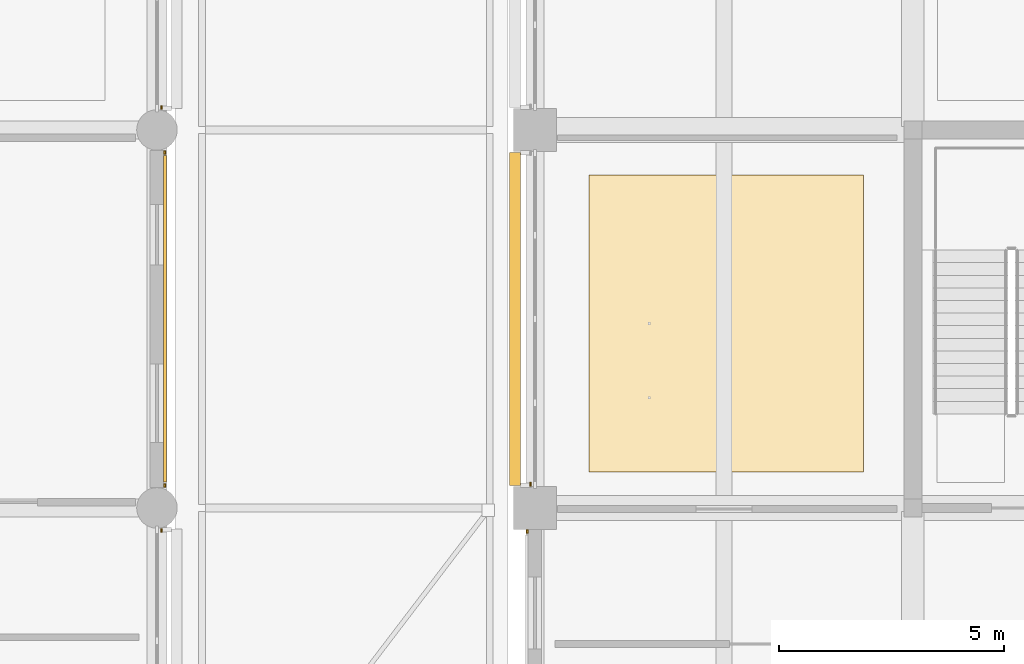
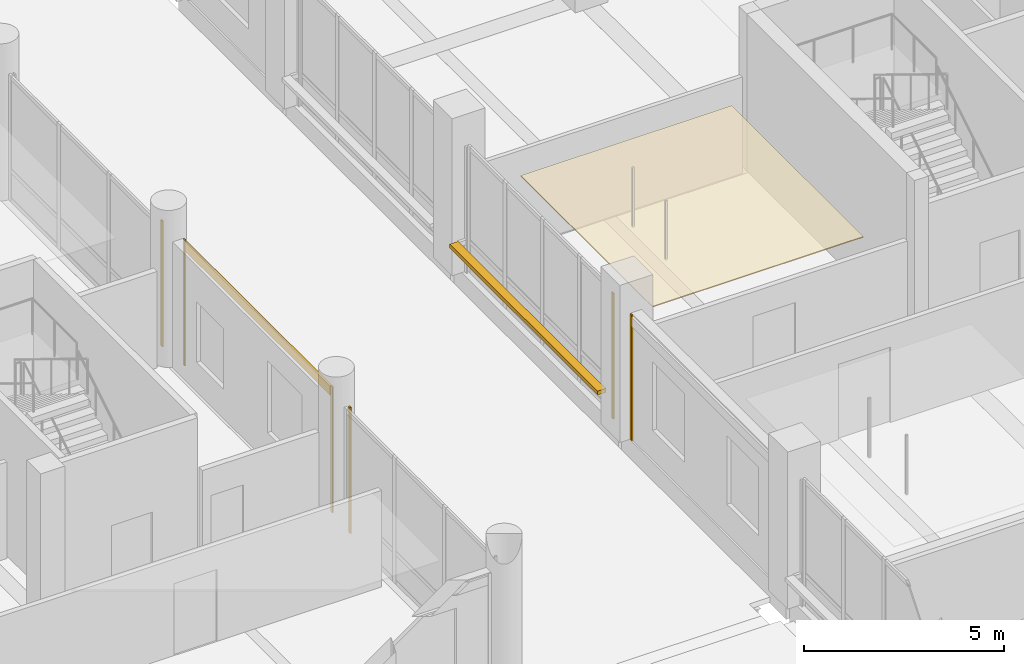
# One storey, part 93 of 128: 8 coverings, 1 shading device.
"""IFC4 building model written with IfcOpenShell, lengths in metres."""

from ifc_helpers import new_model, si_unit, direction, frame, origin, origin_2d, place, context, subcontext, project, spatial, polyline, rectangle, outline, extrude, material, layer, layer_set, type_object, element, save


model = new_model("IFC4")

# Units and contexts
model_context = context("Model", 3, precision=1e-05, world=origin(), true_north=direction((0.0, 1.0)))
body_context = subcontext(model_context, "Body", "Model", "MODEL_VIEW")
ifc_project = project(units=[si_unit("LENGTHUNIT", "METRE"), si_unit("AREAUNIT", "SQUARE_METRE"), si_unit("VOLUMEUNIT", "CUBIC_METRE"), si_unit("PLANEANGLEUNIT", "RADIAN"), si_unit("MASSUNIT", "GRAM", prefix="KILO")], contexts=[model_context])

# Site, building, storey
site_placement = place(None, origin())
site = spatial("IfcSite", under=ifc_project, at=site_placement, CompositionType="ELEMENT")
building_placement = place(site_placement, origin())
building = spatial("IfcBuilding", under=site, at=building_placement, Name="Telukmera Botanical Conservatory", CompositionType="ELEMENT")
storey_placement = place(building_placement, frame((0.0, 0.0, 5.39990234375)))
storey = spatial("IfcBuildingStorey", under=building, at=storey_placement, Name="L01", CompositionType="ELEMENT", Elevation=5.39990234375)

# Coverings
ifc_material_1 = material(Name="Mineral fibre acoustic ceiling")
ifc_layer_1 = layer(ifc_material_1, 0.030029296875)
ifc_layer_set_1 = layer_set([ifc_layer_1], Name="Mineral fibre acoustic ceiling")
covering_type_1 = type_object("IfcCoveringType", Name="COV-CEIL-30", PredefinedType="CEILING", material=ifc_layer_set_1)
covering_1_placement = place(storey_placement, frame((0.0, 0.0, 2.77001953125)))
element("IfcCovering", 1, at=covering_1_placement, inside=storey, type_object=covering_type_1, Name="L01 Botanical Periodicals Room Suspended Acoustic Ceiling", PredefinedType="CEILING", context=body_context, shape_type="SweptSolid", body=[
    extrude(outline(polyline([(51.60009765625, 26.800048828125), (57.699951171875, 26.800048828125), (57.699951171875, 33.39990234375), (51.60009765625, 33.39990234375), (51.60009765625, 26.800048828125)])), origin(), (0.0, 0.0, 1.0), 0.030029296875),
])
ifc_material_2 = material(Name="Granite-faced precast concrete C40/50", Category="masonry")
ifc_layer_2 = layer(ifc_material_2, 0.0400390625)
ifc_layer_set_2 = layer_set([ifc_layer_2], Name="Granite-faced precast concrete C40/50")
covering_type_2 = type_object("IfcCoveringType", Name="Granite Precast Column Pier Reveal Casing", PredefinedType="CLADDING", material=ifc_layer_set_2)
for number, where, z_axis, x_axis, name in (
    (2, (42.10009765625, 25.498046875, 0.0), (0.0, 0.0, 1.0), (0.0, 1.0, 0.0), "Granite Pier Reveal V3:L01:E1 R"),
    (3, (42.169921875, 26.501953125, 0.0), (0.0, 0.0, 1.0), (0.0, 1.0, 0.0), "Granite Pier Reveal V3:L01:E2 L"),
    (4, (42.169921875, 33.89794921875, 0.0), (0.0, 0.0, 1.0), (0.0, 1.0, 0.0), "Granite Pier Reveal V3:L01:E2 R"),
    (5, (42.10009765625, 34.902099609375, 0.0), (0.0, 0.0, 1.0), (0.0, 1.0, 0.0), "Granite Pier Reveal V3:L01:E3 L"),
    (6, (50.22998046875, 25.472900390625, 0.0), (0.0, 0.0, 1.0), (0.0, 1.0, 0.0), "Granite Pier Reveal V4:L01:W2 R"),
    (7, (50.300048828125, 26.527099609375, 0.0), (0.0, 0.0, 1.0), (0.0, 1.0, 0.0), "Granite Pier Reveal V4:L01:W3 L"),
):
    element("IfcCovering", number, at=place(storey_placement, frame(where, z_axis=z_axis, x_axis=x_axis)), inside=storey, type_object=covering_type_2, Name=name, PredefinedType="CLADDING", context=body_context, shape_type="SweptSolid", body=[
        extrude(rectangle(XDim=0.080078125, YDim=0.0400390625, at=origin_2d()), origin(), (0.0, 0.0, 1.0), 3.85009765625),
    ])

# Shading device
ifc_material_3 = material(Name="Perforated terracotta-anodised aluminium 6063-T6", Category="masonry")
ifc_layer_3 = layer(ifc_material_3, 0.044921875)
ifc_layer_set_3 = layer_set([ifc_layer_3], Name="Perforated terracotta-anodised aluminium 6063-T6")
shading_device_type = type_object("IfcShadingDeviceType", Name="Perforated Terracotta Aluminium Monsoon Brise Soleil", PredefinedType="JALOUSIE", material=ifc_layer_set_3)
shading_device_placement = place(storey_placement, frame((49.9599609375, 30.199951171875, 0.89013671875), z_axis=(0.0, 0.0, 1.0), x_axis=(0.0, 1.0, 0.0)))
element("IfcShadingDevice", 8, at=shading_device_placement, inside=storey, type_object=shading_device_type, Name="Monsoon Shading BS01 V4:L01:W3", PredefinedType="JALOUSIE", context=body_context, shape_type="SweptSolid", body=[
    extrude(rectangle(XDim=7.406005859375, YDim=0.239990234375, at=origin_2d()), origin(), (0.0, 0.0, 1.0), 0.1201171875),
])

# Covering
ifc_material_4 = material(Name="Terracotta-faced precast concrete C40/50", Category="masonry")
ifc_layer_4 = layer(ifc_material_4, 0.06005859375)
ifc_layer_set_4 = layer_set([ifc_layer_4], Name="Terracotta-faced precast concrete C40/50")
covering_type_3 = type_object("IfcCoveringType", Name="Polychrome Terracotta Facade Band Cladding", PredefinedType="CLADDING", material=ifc_layer_set_4)
covering_2_placement = place(storey_placement, frame((42.179931640625, 30.199951171875, 3.5302734375), z_axis=(0.0, 0.0, 1.0), x_axis=(0.0, 1.0, 0.0)))
element("IfcCovering", 9, at=covering_2_placement, inside=storey, type_object=covering_type_3, Name="Polychrome Terracotta Band V3:L01:E2", PredefinedType="CLADDING", context=body_context, shape_type="SweptSolid", body=[
    extrude(rectangle(XDim=7.256103515625, YDim=0.06005859375, at=origin_2d()), origin(), (0.0, 0.0, 1.0), 0.280029296875),
])

save(model, "model.ifc")
